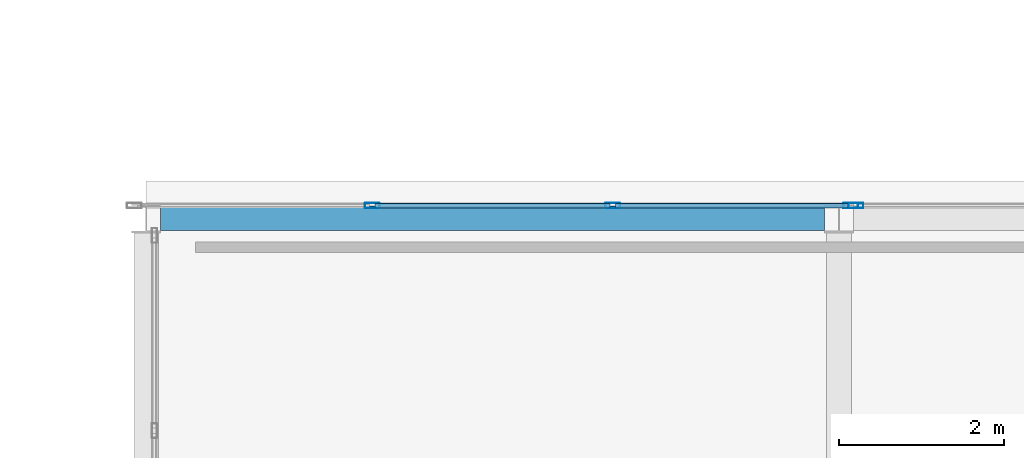
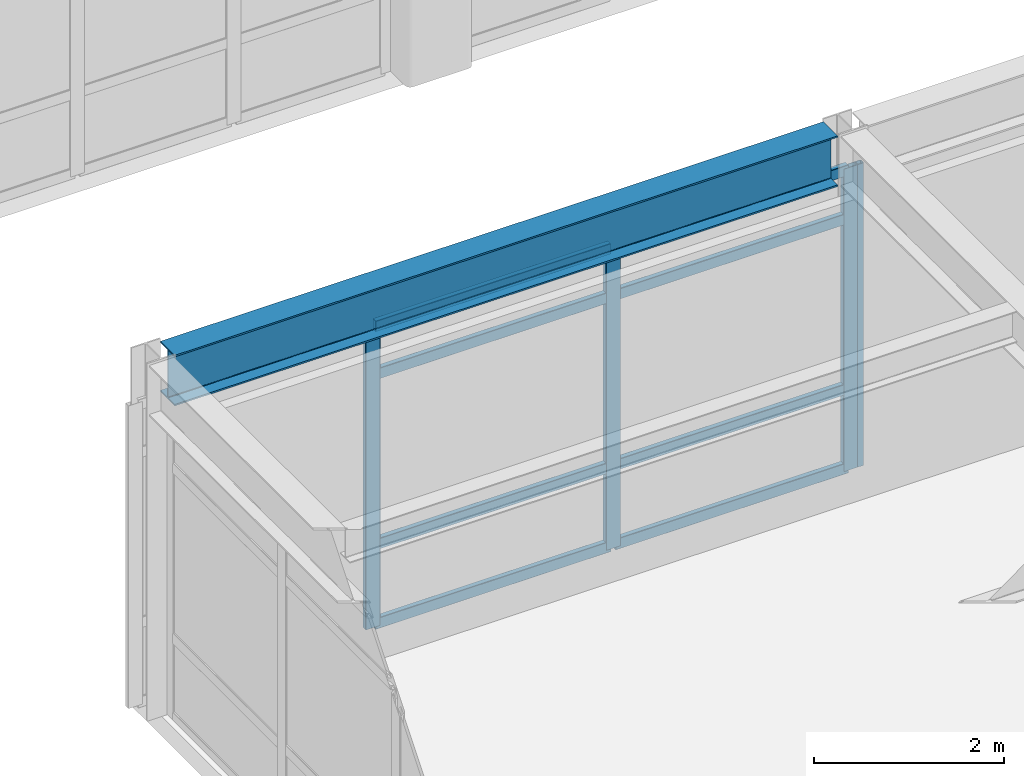
# One storey, part 29 of 154: 12 members, 1 beam, 2 elements without a shape of their own.
"""IFC4 building model written with IfcOpenShell, lengths in metres."""

from ifc_helpers import new_model, si_unit, direction, frame, origin, origin_2d, place, context, subcontext, project, spatial, hollow_rectangle, i_section, extrude, material, layer, layer_set, material_profile, profile_set, type_object, element, aggregate, save


model = new_model("IFC4")

# Units and contexts
model_context = context("Model", 3, precision=1e-05, world=origin(), true_north=direction((0.0, 1.0)))
body_context = subcontext(model_context, "Body", "Model", "MODEL_VIEW")
ifc_project = project(units=[si_unit("LENGTHUNIT", "METRE"), si_unit("AREAUNIT", "SQUARE_METRE"), si_unit("VOLUMEUNIT", "CUBIC_METRE"), si_unit("PLANEANGLEUNIT", "RADIAN"), si_unit("MASSUNIT", "GRAM", prefix="KILO")], contexts=[model_context])

# Site, building, storey
site_placement = place(None, origin())
site = spatial("IfcSite", under=ifc_project, at=site_placement, CompositionType="ELEMENT")
building_placement = place(site_placement, origin())
building = spatial("IfcBuilding", under=site, at=building_placement, Name="Kazehara Bluff Congress Hotel", CompositionType="ELEMENT")
storey_placement = place(building_placement, frame((0.0, 0.0, 10.199951171875)))
storey = spatial("IfcBuildingStorey", under=building, at=storey_placement, Name="L02", CompositionType="ELEMENT", Elevation=10.199951171875)

# Curtain wall, members
ifc_material_1 = material(Name="Anodised aluminium", Category="aluminium")
ifc_layer_1 = layer(ifc_material_1, 0.159912109375)
ifc_layer_set_1 = layer_set([ifc_layer_1], Name="Anodised aluminium")
curtain_wall_type_1 = type_object("IfcCurtainWallType", Name="TP-CW-130", PredefinedType="NOTDEFINED", material=ifc_layer_set_1)
curtain_wall_1_placement = place(storey_placement, origin())
curtain_wall_1 = element("IfcCurtainWall", 1, at=curtain_wall_1_placement, inside=storey, type_object=curtain_wall_type_1, Name="L02 curtain wall CW-130 CW-ENC-V2-L02-3780-3970", PredefinedType="NOTDEFINED")
ifc_material_2 = material(Name="Anodised aluminium", Category="aluminium")
ifc_material_profile_1 = material_profile(ifc_material_2, hollow_rectangle(XDim=0.06494140625, YDim=0.179931640625, WallThickness=0.00390625, InnerFilletRadius=0.00390625, OuterFilletRadius=0.008056640625, at=origin_2d()))
ifc_profile_set_1 = profile_set([ifc_material_profile_1], Name="Anodised aluminium")
member_type_1 = type_object("IfcMemberType", Name="TP-CWM-02", PredefinedType="MULLION", material=ifc_profile_set_1)
member_1_placement = place(storey_placement, frame((36.341552734375, 39.705078125, 0.0), z_axis=(0.0, 0.0, 1.0), x_axis=(0.0, 1.0, 0.0)))
member_1 = element("IfcMember", 2, at=member_1_placement, type_object=member_type_1, Name="CW-130 mullion 2", PredefinedType="MULLION", context=body_context, shape_type="SweptSolid", body=[
    extrude(hollow_rectangle(XDim=0.06494140625, YDim=0.179931640625, WallThickness=0.00390625, InnerFilletRadius=0.00390625, OuterFilletRadius=0.008056640625, at=origin_2d()), origin(), (0.0, 0.0, 1.0), 3.885009765625),
])
member_2_placement = place(storey_placement, frame((39.25830078125, 39.705078125, 0.0), z_axis=(0.0, 0.0, 1.0), x_axis=(0.0, 1.0, 0.0)))
member_2 = element("IfcMember", 3, at=member_2_placement, type_object=member_type_1, Name="CW-130 mullion 3", PredefinedType="MULLION", context=body_context, shape_type="SweptSolid", body=[
    extrude(hollow_rectangle(XDim=0.06494140625, YDim=0.179931640625, WallThickness=0.00390625, InnerFilletRadius=0.00390625, OuterFilletRadius=0.008056640625, at=origin_2d()), origin(), (0.0, 0.0, 1.0), 3.885009765625),
])
member_3_placement = place(storey_placement, frame((42.142578125, 39.705078125, 0.0), z_axis=(0.0, 0.0, 1.0), x_axis=(0.0, 1.0, 0.0)))
member_3 = element("IfcMember", 4, at=member_3_placement, type_object=member_type_1, Name="CW-130 mullion 4", PredefinedType="MULLION", context=body_context, shape_type="SweptSolid", body=[
    extrude(hollow_rectangle(XDim=0.06494140625, YDim=0.179931640625, WallThickness=0.00390625, InnerFilletRadius=0.00390625, OuterFilletRadius=0.008056640625, at=origin_2d()), origin(), (0.0, 0.0, 1.0), 3.885009765625),
])

# Curtain wall, member
ifc_material_3 = material(Name="Anodised aluminium", Category="aluminium")
ifc_layer_2 = layer(ifc_material_3, 0.159912109375)
ifc_layer_set_2 = layer_set([ifc_layer_2], Name="Anodised aluminium")
curtain_wall_type_2 = type_object("IfcCurtainWallType", Name="TP-CW-131", PredefinedType="NOTDEFINED", material=ifc_layer_set_2)
curtain_wall_2_placement = place(storey_placement, origin())
curtain_wall_2 = element("IfcCurtainWall", 5, at=curtain_wall_2_placement, inside=storey, type_object=curtain_wall_type_2, Name="L02 curtain wall CW-131 CW-ENC-V2-L02-4638-3970", PredefinedType="NOTDEFINED")
member_4_placement = place(storey_placement, frame((42.20751953125, 39.705078125, 0.0), z_axis=(0.0, 0.0, 1.0), x_axis=(0.0, 1.0, 0.0)))
member_4 = element("IfcMember", 6, at=member_4_placement, type_object=member_type_1, Name="CW-131 mullion 1", PredefinedType="MULLION", context=body_context, shape_type="SweptSolid", body=[
    extrude(hollow_rectangle(XDim=0.06494140625, YDim=0.179931640625, WallThickness=0.00390625, InnerFilletRadius=0.00390625, OuterFilletRadius=0.008056640625, at=origin_2d()), origin(), (0.0, 0.0, 1.0), 3.885009765625),
])
aggregate(curtain_wall_2, [member_4])

# Member
ifc_material_4 = material(Name="Anodised aluminium", Category="aluminium")
ifc_material_profile_2 = material_profile(ifc_material_4, hollow_rectangle(XDim=0.06494140625, YDim=0.139892578125, WallThickness=0.00390625, InnerFilletRadius=0.00390625, OuterFilletRadius=0.008056640625, at=origin_2d()))
ifc_profile_set_2 = profile_set([ifc_material_profile_2], Name="Anodised aluminium")
member_type_2 = type_object("IfcMemberType", Name="TP-CWT-02", PredefinedType="USERDEFINED", material=ifc_profile_set_2)
member_5_placement = place(storey_placement, frame((36.374267578125, 39.705078125, 0.032470703125), z_axis=(1.0, 0.0, 0.0), x_axis=(0.0, 1.0, 0.0)))
member_5 = element("IfcMember", 7, at=member_5_placement, type_object=member_type_2, Name="CW-130 transom 2.1", ObjectType="TRANSOM", PredefinedType="USERDEFINED", context=body_context, shape_type="SweptSolid", body=[
    extrude(hollow_rectangle(XDim=0.06494140625, YDim=0.139892578125, WallThickness=0.00390625, InnerFilletRadius=0.00390625, OuterFilletRadius=0.008056640625, at=origin_2d()), origin(), (0.0, 0.0, 1.0), 2.8515625),
])

member_6_placement = place(storey_placement, frame((36.374267578125, 39.705078125, 1.050048828125), z_axis=(1.0, 0.0, 0.0), x_axis=(0.0, 1.0, 0.0)))
member_6 = element("IfcMember", 8, at=member_6_placement, type_object=member_type_2, Name="CW-130 transom 2.2", ObjectType="TRANSOM", PredefinedType="USERDEFINED", context=body_context, shape_type="SweptSolid", body=[
    extrude(hollow_rectangle(XDim=0.06494140625, YDim=0.139892578125, WallThickness=0.00390625, InnerFilletRadius=0.00390625, OuterFilletRadius=0.008056640625, at=origin_2d()), origin(), (0.0, 0.0, 1.0), 2.8515625),
])

member_7_placement = place(storey_placement, frame((36.374267578125, 39.705078125, 3.235107421875), z_axis=(1.0, 0.0, 0.0), x_axis=(0.0, 1.0, 0.0)))
member_7 = element("IfcMember", 9, at=member_7_placement, type_object=member_type_2, Name="CW-130 transom 2.3", ObjectType="TRANSOM", PredefinedType="USERDEFINED", context=body_context, shape_type="SweptSolid", body=[
    extrude(hollow_rectangle(XDim=0.06494140625, YDim=0.139892578125, WallThickness=0.00390625, InnerFilletRadius=0.00390625, OuterFilletRadius=0.008056640625, at=origin_2d()), origin(), (0.0, 0.0, 1.0), 2.8515625),
])

member_8_placement = place(storey_placement, frame((36.374267578125, 39.705078125, 3.8525390625), z_axis=(1.0, 0.0, 0.0), x_axis=(0.0, 1.0, 0.0)))
member_8 = element("IfcMember", 10, at=member_8_placement, type_object=member_type_2, Name="CW-130 transom 2.4", ObjectType="TRANSOM", PredefinedType="USERDEFINED", context=body_context, shape_type="SweptSolid", body=[
    extrude(hollow_rectangle(XDim=0.06494140625, YDim=0.139892578125, WallThickness=0.00390625, InnerFilletRadius=0.00390625, OuterFilletRadius=0.008056640625, at=origin_2d()), origin(), (0.0, 0.0, 1.0), 2.8515625),
])

member_9_placement = place(storey_placement, frame((39.290771484375, 39.705078125, 0.032470703125), z_axis=(1.0, 0.0, 0.0), x_axis=(0.0, 1.0, 0.0)))
member_9 = element("IfcMember", 11, at=member_9_placement, type_object=member_type_2, Name="CW-130 transom 3.1", ObjectType="TRANSOM", PredefinedType="USERDEFINED", context=body_context, shape_type="SweptSolid", body=[
    extrude(hollow_rectangle(XDim=0.06494140625, YDim=0.139892578125, WallThickness=0.00390625, InnerFilletRadius=0.00390625, OuterFilletRadius=0.008056640625, at=origin_2d()), origin(), (0.0, 0.0, 1.0), 2.8193359375),
])

member_10_placement = place(storey_placement, frame((39.290771484375, 39.705078125, 1.050048828125), z_axis=(1.0, 0.0, 0.0), x_axis=(0.0, 1.0, 0.0)))
member_10 = element("IfcMember", 12, at=member_10_placement, type_object=member_type_2, Name="CW-130 transom 3.2", ObjectType="TRANSOM", PredefinedType="USERDEFINED", context=body_context, shape_type="SweptSolid", body=[
    extrude(hollow_rectangle(XDim=0.06494140625, YDim=0.139892578125, WallThickness=0.00390625, InnerFilletRadius=0.00390625, OuterFilletRadius=0.008056640625, at=origin_2d()), origin(), (0.0, 0.0, 1.0), 2.8193359375),
])

member_11_placement = place(storey_placement, frame((39.290771484375, 39.705078125, 3.235107421875), z_axis=(1.0, 0.0, 0.0), x_axis=(0.0, 1.0, 0.0)))
member_11 = element("IfcMember", 13, at=member_11_placement, type_object=member_type_2, Name="CW-130 transom 3.3", ObjectType="TRANSOM", PredefinedType="USERDEFINED", context=body_context, shape_type="SweptSolid", body=[
    extrude(hollow_rectangle(XDim=0.06494140625, YDim=0.139892578125, WallThickness=0.00390625, InnerFilletRadius=0.00390625, OuterFilletRadius=0.008056640625, at=origin_2d()), origin(), (0.0, 0.0, 1.0), 2.8193359375),
])

member_12_placement = place(storey_placement, frame((39.290771484375, 39.705078125, 3.8525390625), z_axis=(1.0, 0.0, 0.0), x_axis=(0.0, 1.0, 0.0)))
member_12 = element("IfcMember", 14, at=member_12_placement, type_object=member_type_2, Name="CW-130 transom 3.4", ObjectType="TRANSOM", PredefinedType="USERDEFINED", context=body_context, shape_type="SweptSolid", body=[
    extrude(hollow_rectangle(XDim=0.06494140625, YDim=0.139892578125, WallThickness=0.00390625, InnerFilletRadius=0.00390625, OuterFilletRadius=0.008056640625, at=origin_2d()), origin(), (0.0, 0.0, 1.0), 2.8193359375),
])

aggregate(curtain_wall_1, [member_1, member_2, member_3, member_5, member_6, member_7, member_8, member_9, member_10, member_11, member_12])

# Beam
ifc_material_5 = material(Name="Steel SN490B", Category="steel")
ifc_material_profile_3 = material_profile(ifc_material_5, i_section(OverallWidth=0.300048828125, OverallDepth=0.64990234375, WebThickness=0.011962890625, FlangeThickness=0.02001953125, FilletRadius=0.012939453125, at=origin_2d()))
ifc_profile_set_3 = profile_set([ifc_material_profile_3], Name="Steel SN490B")
beam_type = type_object("IfcBeamType", Name="TP-G-03", PredefinedType="BEAM", material=ifc_profile_set_3)
beam_placement = place(storey_placement, frame((33.77490234375, 39.550048828125, 4.235107421875), z_axis=(1.0, 0.0, 0.0), x_axis=(0.0, 1.0, 0.0)))
element("IfcBeam", 15, at=beam_placement, inside=storey, type_object=beam_type, Name="L02 girder G-03 54", PredefinedType="BEAM", context=body_context, shape_type="SweptSolid", body=[
    extrude(i_section(OverallWidth=0.300048828125, OverallDepth=0.64990234375, WebThickness=0.011962890625, FlangeThickness=0.02001953125, FilletRadius=0.012939453125, at=origin_2d()), origin(), (0.0, 0.0, 1.0), 8.050048828125),
])

save(model, "model.ifc")
